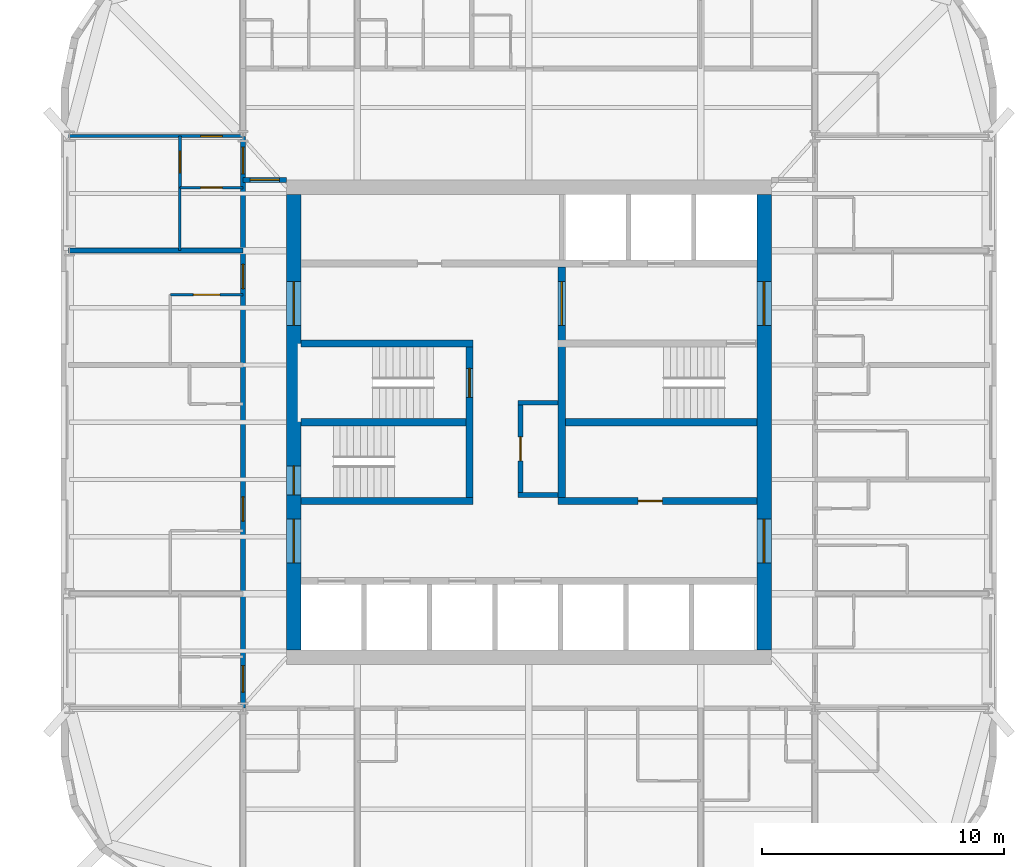
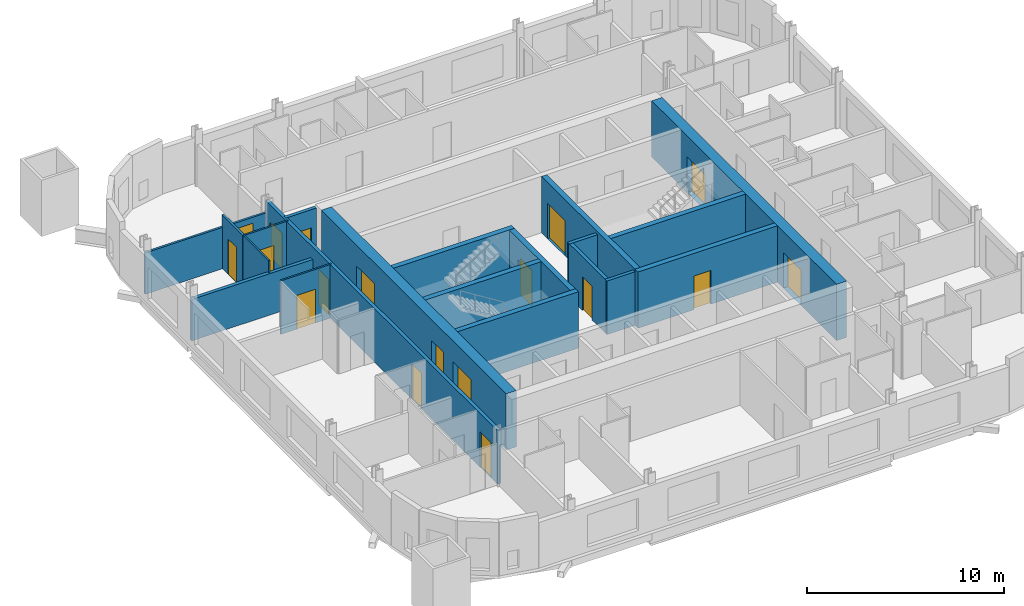
# One storey, part 4 of 9: 20 walls, 18 doors, 18 openings.
"""IFC4 building model written with IfcOpenShell, lengths in metres."""

from ifc_helpers import new_model, si_unit, direction, frame, frame_2d, origin, place, context, subcontext, project, spatial, rectangle, extrude, material, layer, layer_set, type_object, element, fill, save


model = new_model("IFC4")

# Units and contexts
model_context = context("Model", 3, precision=1e-05, world=origin(), true_north=direction((0.0, 1.0)))
body_context = subcontext(model_context, "Body", "Model", "MODEL_VIEW")
ifc_project = project(units=[si_unit("LENGTHUNIT", "METRE"), si_unit("AREAUNIT", "SQUARE_METRE"), si_unit("VOLUMEUNIT", "CUBIC_METRE"), si_unit("PLANEANGLEUNIT", "RADIAN"), si_unit("MASSUNIT", "GRAM", prefix="KILO")], contexts=[model_context])

# Site, building, storey
site_placement = place(None, origin())
site = spatial("IfcSite", under=ifc_project, at=site_placement, CompositionType="ELEMENT")
building_placement = place(site_placement, origin())
building = spatial("IfcBuilding", under=site, at=building_placement, Name="Turquesa Mirador Hotel Tower", CompositionType="ELEMENT")
storey_placement = place(building_placement, frame((0.0, 0.0, 210.800048828125)))
storey = spatial("IfcBuildingStorey", under=building, at=storey_placement, Name="L57", CompositionType="ELEMENT", Elevation=210.800048828125)

# Wall, opening, door
ifc_material_1 = material(Name="Gypsum board on steel studs", Category="steel")
ifc_layer_1 = layer(ifc_material_1, 0.10009765625)
ifc_layer_set_1 = layer_set([ifc_layer_1], Name="BATHROOM WALL 100")
wall_type_1 = type_object("IfcWallType", Name="BATHROOM WALL 100", PredefinedType="PARTITIONING", material=ifc_layer_set_1)
wall_1_placement = place(storey_placement, frame((40.199951171875, 50.260009765625, 0.0), z_axis=(0.0, 0.0, 1.0), x_axis=(1.0, 0.0, 0.0)))
wall_1 = element("IfcWall", 1, at=wall_1_placement, inside=storey, type_object=wall_type_1, Name="Partition L57 040", PredefinedType="PARTITIONING", context=body_context, shape_type="SweptSolid", body=[
    extrude(rectangle(XDim=3.0, YDim=0.10009765625, at=frame_2d((1.5, 0.0))), origin(), (0.0, 0.0, 1.0), 3.329833984375),
])
opening_1_placement = place(wall_1_placement, frame((0.949951171875, 0.0, 0.0)))
opening_1 = element("IfcOpeningElement", 2, at=opening_1_placement, cuts=wall_1, Name="Opening D16", PredefinedType="OPENING", context=body_context, shape_type="SweptSolid", body=[
    extrude(rectangle(XDim=1.10009765625, YDim=2.10009765625, at=frame_2d((0.550048828125, 1.050048828125))), frame((0.0, 0.06005859375, 0.0), z_axis=(0.0, -1.0, 0.0), x_axis=(1.0, 0.0, 0.0)), (0.0, 0.0, 1.0), 0.1201171875),
])
ifc_material_2 = material(Name="Timber veneered sliding door", Category="wood")
door_type_1 = type_object("IfcDoorType", Name="DOOR 1100X2100 ACCESSIBLE EN-SUITE", OperationType="SLIDING_TO_LEFT", PredefinedType="DOOR", material=ifc_material_2)
door_1_placement = place(opening_1_placement, origin())
door_1 = element("IfcDoor", 3, at=door_1_placement, inside=storey, type_object=door_type_1, Name="Door 5711B", OperationType="SLIDING_TO_LEFT", OverallHeight=2.10009765625, OverallWidth=1.10009765625, PredefinedType="DOOR", context=body_context, shape_type="SweptSolid", body=[
    extrude(rectangle(XDim=1.10009765625, YDim=2.10009765625, at=frame_2d((0.550048828125, 1.050048828125))), frame((0.0, 0.02490234375, 0.0), z_axis=(0.0, -1.0, 0.0), x_axis=(1.0, 0.0, 0.0)), (0.0, 0.0, 1.0), 0.050048828125),
])
fill(opening_1, door_1)

wall_2_placement = place(storey_placement, frame((40.60009765625, 54.679931640625, 0.0), z_axis=(0.0, 0.0, 1.0), x_axis=(1.0, 0.0, 0.0)))
wall_2 = element("IfcWall", 4, at=wall_2_placement, inside=storey, type_object=wall_type_1, Name="Partition L57 044", PredefinedType="PARTITIONING", context=body_context, shape_type="SweptSolid", body=[
    extrude(rectangle(XDim=2.599853515625, YDim=0.10009765625, at=frame_2d((1.2998046875, 0.0))), origin(), (0.0, 0.0, 1.0), 3.329833984375),
])
opening_2_placement = place(wall_2_placement, frame((0.85009765625, 0.0, 0.0)))
opening_2 = element("IfcOpeningElement", 5, at=opening_2_placement, cuts=wall_2, Name="Opening D02", PredefinedType="OPENING", context=body_context, shape_type="SweptSolid", body=[
    extrude(rectangle(XDim=0.89990234375, YDim=2.10009765625, at=frame_2d((0.449951171875, 1.050048828125))), frame((0.0, 0.06005859375, 0.0), z_axis=(0.0, -1.0, 0.0), x_axis=(1.0, 0.0, 0.0)), (0.0, 0.0, 1.0), 0.1201171875),
])
ifc_material_3 = material(Name="Timber veneered door", Category="wood")
door_type_2 = type_object("IfcDoorType", Name="DOOR 900X2100 EN-SUITE", OperationType="SINGLE_SWING_RIGHT", PredefinedType="DOOR", material=ifc_material_3)
door_2_placement = place(opening_2_placement, origin())
door_2 = element("IfcDoor", 6, at=door_2_placement, inside=storey, type_object=door_type_2, Name="Door 5713B", OperationType="SINGLE_SWING_RIGHT", OverallHeight=2.10009765625, OverallWidth=0.89990234375, PredefinedType="DOOR", context=body_context, shape_type="SweptSolid", body=[
    extrude(rectangle(XDim=0.89990234375, YDim=2.10009765625, at=frame_2d((0.449951171875, 1.050048828125))), frame((0.0, 0.02490234375, 0.0), z_axis=(0.0, -1.0, 0.0), x_axis=(1.0, 0.0, 0.0)), (0.0, 0.0, 1.0), 0.050048828125),
])
fill(opening_2, door_2)

# Walls
wall_3_placement = place(storey_placement, frame((40.60009765625, 52.080078125, 0.0), z_axis=(0.0, 0.0, 1.0), x_axis=(0.0, 1.0, 0.0)))
element("IfcWall", 7, at=wall_3_placement, inside=storey, type_object=wall_type_1, Name="Partition L57 052", PredefinedType="PARTITIONING", context=body_context, shape_type="SweptSolid", body=[
    extrude(rectangle(XDim=2.599853515625, YDim=0.10009765625, at=frame_2d((1.2998046875, 0.0))), origin(), (0.0, 0.0, 1.0), 3.329833984375),
])
ifc_material_4 = material(Name="Concrete C50/60", Category="concrete")
ifc_layer_2 = layer(ifc_material_4, 0.300048828125)
ifc_layer_set_2 = layer_set([ifc_layer_2], Name="CORE INNER WALL 300")
wall_type_2 = type_object("IfcWallType", Name="CORE INNER WALL 300", PredefinedType="SHEAR", material=ifc_layer_set_2)
for number, where, z_axis, x_axis, name in (
    (8, (45.60009765625, 48.25, 0.0), (0.0, 0.0, 1.0), (1.0, 0.0, 0.0), "Core wall MN-W"),
    (9, (45.60009765625, 41.75, 0.0), (0.0, 0.0, 1.0), (1.0, 0.0, 0.0), "Core wall MS-W"),
):
    element("IfcWall", number, at=place(storey_placement, frame(where, z_axis=z_axis, x_axis=x_axis)), inside=storey, type_object=wall_type_2, Name=name, PredefinedType="SHEAR", context=body_context, shape_type="SweptSolid", body=[
        extrude(rectangle(XDim=7.099853515625, YDim=0.300048828125, at=frame_2d((3.5498046875, 0.0))), origin(), (0.0, 0.0, 1.0), 3.5),
    ])

# Wall, opening, door
wall_4_placement = place(storey_placement, frame((56.199951171875, 41.75, 0.0), z_axis=(0.0, 0.0, 1.0), x_axis=(1.0, 0.0, 0.0)))
wall_4 = element("IfcWall", 10, at=wall_4_placement, inside=storey, type_object=wall_type_2, Name="Core wall MS-E", PredefinedType="SHEAR", context=body_context, shape_type="SweptSolid", body=[
    extrude(rectangle(XDim=8.199951171875, YDim=0.300048828125, at=frame_2d((4.10009765625, 0.0))), origin(), (0.0, 0.0, 1.0), 3.5),
])
opening_3_placement = place(wall_4_placement, frame((3.300048828125, 0.0, 0.0)))
opening_3 = element("IfcOpeningElement", 11, at=opening_3_placement, cuts=wall_4, Name="Opening D05", PredefinedType="OPENING", context=body_context, shape_type="SweptSolid", body=[
    extrude(rectangle(XDim=1.0, YDim=2.10009765625, at=frame_2d((0.5, 1.050048828125))), frame((0.0, 0.159912109375, 0.0), z_axis=(0.0, -1.0, 0.0), x_axis=(1.0, 0.0, 0.0)), (0.0, 0.0, 1.0), 0.320068359375),
])
ifc_material_5 = material(Name="Steel fire door", Category="steel")
door_type_3 = type_object("IfcDoorType", Name="DOOR 1000X2100 SERVICE", OperationType="SINGLE_SWING_LEFT", PredefinedType="DOOR", material=ifc_material_5)
door_3_placement = place(opening_3_placement, origin())
door_3 = element("IfcDoor", 12, at=door_3_placement, inside=storey, type_object=door_type_3, Name="Housekeeping room door", OperationType="SINGLE_SWING_LEFT", OverallHeight=2.10009765625, OverallWidth=1.0, PredefinedType="DOOR", context=body_context, shape_type="SweptSolid", body=[
    extrude(rectangle(XDim=1.0, YDim=2.10009765625, at=frame_2d((0.5, 1.050048828125))), frame((0.0, 0.02490234375, 0.0), z_axis=(0.0, -1.0, 0.0), x_axis=(1.0, 0.0, 0.0)), (0.0, 0.0, 1.0), 0.050048828125),
])
fill(opening_3, door_3)

wall_5_placement = place(storey_placement, frame((52.550048828125, 41.89990234375, 0.0), z_axis=(0.0, 0.0, 1.0), x_axis=(0.0, 1.0, 0.0)))
wall_5 = element("IfcWall", 13, at=wall_5_placement, inside=storey, type_object=wall_type_2, Name="Core wall PW", PredefinedType="SHEAR", context=body_context, shape_type="SweptSolid", body=[
    extrude(rectangle(XDim=6.2001953125, YDim=0.300048828125, at=frame_2d((3.10009765625, 0.0))), origin(), (0.0, 0.0, 1.0), 3.5),
])
opening_4_placement = place(wall_5_placement, frame((4.125, 0.0, 0.0)))
opening_4 = element("IfcOpeningElement", 14, at=opening_4_placement, cuts=wall_5, Name="Opening D03", PredefinedType="OPENING", context=body_context, shape_type="SweptSolid", body=[
    extrude(rectangle(XDim=1.199951171875, YDim=2.199951171875, at=frame_2d((0.60009765625, 1.10009765625))), frame((0.0, 0.159912109375, 0.0), z_axis=(0.0, -1.0, 0.0), x_axis=(1.0, 0.0, 0.0)), (0.0, 0.0, 1.0), 0.320068359375),
])
ifc_material_6 = material(Name="Steel fire door", Category="steel")
door_type_4 = type_object("IfcDoorType", Name="DOOR 1200X2200 STAIR", OperationType="SINGLE_SWING_LEFT", PredefinedType="DOOR", material=ifc_material_6)
door_4_placement = place(opening_4_placement, origin())
door_4 = element("IfcDoor", 15, at=door_4_placement, inside=storey, type_object=door_type_4, Name="Stair ST1 door", OperationType="SINGLE_SWING_LEFT", OverallHeight=2.199951171875, OverallWidth=1.199951171875, PredefinedType="DOOR", context=body_context, shape_type="SweptSolid", body=[
    extrude(rectangle(XDim=1.199951171875, YDim=2.199951171875, at=frame_2d((0.60009765625, 1.10009765625))), frame((0.0, 0.02490234375, 0.0), z_axis=(0.0, -1.0, 0.0), x_axis=(1.0, 0.0, 0.0)), (0.0, 0.0, 1.0), 0.050048828125),
])
fill(opening_4, door_4)

wall_6_placement = place(storey_placement, frame((56.35009765625, 41.89990234375, 0.0), z_axis=(0.0, 0.0, 1.0), x_axis=(0.0, 1.0, 0.0)))
wall_6 = element("IfcWall", 16, at=wall_6_placement, inside=storey, type_object=wall_type_2, Name="Core wall PE", PredefinedType="SHEAR", context=body_context, shape_type="SweptSolid", body=[
    extrude(rectangle(XDim=9.5, YDim=0.300048828125, at=frame_2d((4.75, 0.0))), origin(), (0.0, 0.0, 1.0), 3.5),
])
opening_5_placement = place(wall_6_placement, frame((7.10009765625, 0.0, 0.0)))
opening_5 = element("IfcOpeningElement", 17, at=opening_5_placement, cuts=wall_6, Name="Opening D04", PredefinedType="OPENING", context=body_context, shape_type="SweptSolid", body=[
    extrude(rectangle(XDim=1.800048828125, YDim=2.199951171875, at=frame_2d((0.89990234375, 1.10009765625))), frame((0.0, 0.159912109375, 0.0), z_axis=(0.0, -1.0, 0.0), x_axis=(1.0, 0.0, 0.0)), (0.0, 0.0, 1.0), 0.320068359375),
])
ifc_material_7 = material(Name="Steel fire door pair", Category="steel")
door_type_5 = type_object("IfcDoorType", Name="DOOR 1800X2200 PAIR", OperationType="DOUBLE_DOOR_SINGLE_SWING", PredefinedType="DOOR", material=ifc_material_7)
door_5_placement = place(opening_5_placement, origin())
door_5 = element("IfcDoor", 18, at=door_5_placement, inside=storey, type_object=door_type_5, Name="Firefighting lobby inner door", OperationType="DOUBLE_DOOR_SINGLE_SWING", OverallHeight=2.199951171875, OverallWidth=1.800048828125, PredefinedType="DOOR", context=body_context, shape_type="SweptSolid", body=[
    extrude(rectangle(XDim=1.800048828125, YDim=2.199951171875, at=frame_2d((0.89990234375, 1.10009765625))), frame((0.0, 0.02490234375, 0.0), z_axis=(0.0, -1.0, 0.0), x_axis=(1.0, 0.0, 0.0)), (0.0, 0.0, 1.0), 0.050048828125),
])
fill(opening_5, door_5)

# Walls
wall_7_placement = place(storey_placement, frame((45.60009765625, 45.0, 0.0), z_axis=(0.0, 0.0, 1.0), x_axis=(1.0, 0.0, 0.0)))
element("IfcWall", 19, at=wall_7_placement, inside=storey, type_object=wall_type_2, Name="Core wall M0-W", PredefinedType="SHEAR", context=body_context, shape_type="SweptSolid", body=[
    extrude(rectangle(XDim=6.7998046875, YDim=0.300048828125, at=frame_2d((3.39990234375, 0.0))), origin(), (0.0, 0.0, 1.0), 3.5),
])
wall_8_placement = place(storey_placement, frame((56.5, 45.0, 0.0), z_axis=(0.0, 0.0, 1.0), x_axis=(1.0, 0.0, 0.0)))
element("IfcWall", 20, at=wall_8_placement, inside=storey, type_object=wall_type_2, Name="Core wall M0-E", PredefinedType="SHEAR", context=body_context, shape_type="SweptSolid", body=[
    extrude(rectangle(XDim=7.89990234375, YDim=0.300048828125, at=frame_2d((3.949951171875, 0.0))), origin(), (0.0, 0.0, 1.0), 3.5),
])

# Wall, openings, doors
ifc_material_8 = material(Name="Concrete C50/60", Category="concrete")
ifc_layer_3 = layer(ifc_material_8, 0.60009765625)
ifc_layer_set_3 = layer_set([ifc_layer_3], Name="CORE WALL 600")
wall_type_3 = type_object("IfcWallType", Name="CORE WALL 600", PredefinedType="SHEAR", material=ifc_layer_set_3)
wall_9_placement = place(storey_placement, frame((64.699951171875, 35.60009765625, 0.0), z_axis=(0.0, 0.0, 1.0), x_axis=(0.0, 1.0, 0.0)))
wall_9 = element("IfcWall", 21, at=wall_9_placement, inside=storey, type_object=wall_type_3, Name="Core wall E", PredefinedType="SHEAR", context=body_context, shape_type="SweptSolid", body=[
    extrude(rectangle(XDim=18.7998046875, YDim=0.60009765625, at=frame_2d((9.39990234375, 0.0))), origin(), (0.0, 0.0, 1.0), 3.5),
])
opening_6_placement = place(wall_9_placement, frame((13.39990234375, 0.0, 0.0)))
opening_6 = element("IfcOpeningElement", 22, at=opening_6_placement, cuts=wall_9, Name="Opening D04", PredefinedType="OPENING", context=body_context, shape_type="SweptSolid", body=[
    extrude(rectangle(XDim=1.800048828125, YDim=2.199951171875, at=frame_2d((0.89990234375, 1.10009765625))), frame((0.0, 0.31005859375, 0.0), z_axis=(0.0, -1.0, 0.0), x_axis=(1.0, 0.0, 0.0)), (0.0, 0.0, 1.0), 0.6201171875),
])
opening_7_placement = place(wall_9_placement, frame((3.60009765625, 0.0, 0.0)))
opening_7 = element("IfcOpeningElement", 23, at=opening_7_placement, cuts=wall_9, Name="Opening D04", PredefinedType="OPENING", context=body_context, shape_type="SweptSolid", body=[
    extrude(rectangle(XDim=1.800048828125, YDim=2.199951171875, at=frame_2d((0.89990234375, 1.10009765625))), frame((0.0, 0.31005859375, 0.0), z_axis=(0.0, -1.0, 0.0), x_axis=(1.0, 0.0, 0.0)), (0.0, 0.0, 1.0), 0.6201171875),
])
door_6_placement = place(opening_6_placement, origin())
door_6 = element("IfcDoor", 24, at=door_6_placement, inside=storey, type_object=door_type_5, Name="Firefighting lobby door", OperationType="DOUBLE_DOOR_SINGLE_SWING", OverallHeight=2.199951171875, OverallWidth=1.800048828125, PredefinedType="DOOR", context=body_context, shape_type="SweptSolid", body=[
    extrude(rectangle(XDim=1.800048828125, YDim=2.199951171875, at=frame_2d((0.89990234375, 1.10009765625))), frame((0.0, 0.02490234375, 0.0), z_axis=(0.0, -1.0, 0.0), x_axis=(1.0, 0.0, 0.0)), (0.0, 0.0, 1.0), 0.050048828125),
])
fill(opening_6, door_6)
door_7_placement = place(opening_7_placement, origin())
door_7 = element("IfcDoor", 25, at=door_7_placement, inside=storey, type_object=door_type_5, Name="South lift lobby door", OperationType="DOUBLE_DOOR_SINGLE_SWING", OverallHeight=2.199951171875, OverallWidth=1.800048828125, PredefinedType="DOOR", context=body_context, shape_type="SweptSolid", body=[
    extrude(rectangle(XDim=1.800048828125, YDim=2.199951171875, at=frame_2d((0.89990234375, 1.10009765625))), frame((0.0, 0.02490234375, 0.0), z_axis=(0.0, -1.0, 0.0), x_axis=(1.0, 0.0, 0.0)), (0.0, 0.0, 1.0), 0.050048828125),
])
fill(opening_7, door_7)

wall_10_placement = place(storey_placement, frame((45.300048828125, 35.60009765625, 0.0), z_axis=(0.0, 0.0, 1.0), x_axis=(0.0, 1.0, 0.0)))
wall_10 = element("IfcWall", 26, at=wall_10_placement, inside=storey, type_object=wall_type_3, Name="Core wall W", PredefinedType="SHEAR", context=body_context, shape_type="SweptSolid", body=[
    extrude(rectangle(XDim=18.7998046875, YDim=0.60009765625, at=frame_2d((9.39990234375, 0.0))), origin(), (0.0, 0.0, 1.0), 3.5),
])
opening_8_placement = place(wall_10_placement, frame((13.39990234375, 0.0, 0.0)))
opening_8 = element("IfcOpeningElement", 27, at=opening_8_placement, cuts=wall_10, Name="Opening D04", PredefinedType="OPENING", context=body_context, shape_type="SweptSolid", body=[
    extrude(rectangle(XDim=1.800048828125, YDim=2.199951171875, at=frame_2d((0.89990234375, 1.10009765625))), frame((0.0, 0.31005859375, 0.0), z_axis=(0.0, -1.0, 0.0), x_axis=(1.0, 0.0, 0.0)), (0.0, 0.0, 1.0), 0.6201171875),
])
opening_9_placement = place(wall_10_placement, frame((3.60009765625, 0.0, 0.0)))
opening_9 = element("IfcOpeningElement", 28, at=opening_9_placement, cuts=wall_10, Name="Opening D04", PredefinedType="OPENING", context=body_context, shape_type="SweptSolid", body=[
    extrude(rectangle(XDim=1.800048828125, YDim=2.199951171875, at=frame_2d((0.89990234375, 1.10009765625))), frame((0.0, 0.31005859375, 0.0), z_axis=(0.0, -1.0, 0.0), x_axis=(1.0, 0.0, 0.0)), (0.0, 0.0, 1.0), 0.6201171875),
])
opening_10_placement = place(wall_10_placement, frame((6.39990234375, 0.0, 0.0)))
opening_10 = element("IfcOpeningElement", 29, at=opening_10_placement, cuts=wall_10, Name="Opening D03", PredefinedType="OPENING", context=body_context, shape_type="SweptSolid", body=[
    extrude(rectangle(XDim=1.199951171875, YDim=2.199951171875, at=frame_2d((0.60009765625, 1.10009765625))), frame((0.0, 0.31005859375, 0.0), z_axis=(0.0, -1.0, 0.0), x_axis=(1.0, 0.0, 0.0)), (0.0, 0.0, 1.0), 0.6201171875),
])
door_8_placement = place(opening_10_placement, origin())
door_8 = element("IfcDoor", 30, at=door_8_placement, inside=storey, type_object=door_type_4, Name="Stair ST2 door", OperationType="SINGLE_SWING_LEFT", OverallHeight=2.199951171875, OverallWidth=1.199951171875, PredefinedType="DOOR", context=body_context, shape_type="SweptSolid", body=[
    extrude(rectangle(XDim=1.199951171875, YDim=2.199951171875, at=frame_2d((0.60009765625, 1.10009765625))), frame((0.0, 0.02490234375, 0.0), z_axis=(0.0, -1.0, 0.0), x_axis=(1.0, 0.0, 0.0)), (0.0, 0.0, 1.0), 0.050048828125),
])
fill(opening_10, door_8)
door_9_placement = place(opening_8_placement, origin())
door_9 = element("IfcDoor", 31, at=door_9_placement, inside=storey, type_object=door_type_5, Name="North lift lobby door", OperationType="DOUBLE_DOOR_SINGLE_SWING", OverallHeight=2.199951171875, OverallWidth=1.800048828125, PredefinedType="DOOR", context=body_context, shape_type="SweptSolid", body=[
    extrude(rectangle(XDim=1.800048828125, YDim=2.199951171875, at=frame_2d((0.89990234375, 1.10009765625))), frame((0.0, 0.02490234375, 0.0), z_axis=(0.0, -1.0, 0.0), x_axis=(1.0, 0.0, 0.0)), (0.0, 0.0, 1.0), 0.050048828125),
])
fill(opening_8, door_9)
door_10_placement = place(opening_9_placement, origin())
door_10 = element("IfcDoor", 32, at=door_10_placement, inside=storey, type_object=door_type_5, Name="South lift lobby door", OperationType="DOUBLE_DOOR_SINGLE_SWING", OverallHeight=2.199951171875, OverallWidth=1.800048828125, PredefinedType="DOOR", context=body_context, shape_type="SweptSolid", body=[
    extrude(rectangle(XDim=1.800048828125, YDim=2.199951171875, at=frame_2d((0.89990234375, 1.10009765625))), frame((0.0, 0.02490234375, 0.0), z_axis=(0.0, -1.0, 0.0), x_axis=(1.0, 0.0, 0.0)), (0.0, 0.0, 1.0), 0.050048828125),
])
fill(opening_9, door_10)

# Wall, opening, door
ifc_material_9 = material(Name="Fire-rated gypsum board on steel studs", Category="steel")
ifc_layer_4 = layer(ifc_material_9, 0.199951171875)
ifc_layer_set_4 = layer_set([ifc_layer_4], Name="CORRIDOR WALL 200")
wall_type_4 = type_object("IfcWallType", Name="CORRIDOR WALL 200", PredefinedType="PARTITIONING", material=ifc_layer_set_4)
wall_11_placement = place(storey_placement, frame((43.199951171875, 55.0, 0.0), z_axis=(0.0, 0.0, 1.0), x_axis=(1.0, 0.0, 0.0)))
wall_11 = element("IfcWall", 33, at=wall_11_placement, inside=storey, type_object=wall_type_4, Name="Partition L57 022", PredefinedType="PARTITIONING", context=body_context, shape_type="SweptSolid", body=[
    extrude(rectangle(XDim=1.800048828125, YDim=0.199951171875, at=frame_2d((0.89990234375, 0.0))), origin(), (0.0, 0.0, 1.0), 3.329833984375),
])
opening_11_placement = place(wall_11_placement, frame((0.300048828125, 0.0, 0.0)))
opening_11 = element("IfcOpeningElement", 34, at=opening_11_placement, cuts=wall_11, Name="Opening D19", PredefinedType="OPENING", context=body_context, shape_type="SweptSolid", body=[
    extrude(rectangle(XDim=1.199951171875, YDim=2.199951171875, at=frame_2d((0.60009765625, 1.10009765625))), frame((0.0, 0.10986328125, 0.0), z_axis=(0.0, -1.0, 0.0), x_axis=(1.0, 0.0, 0.0)), (0.0, 0.0, 1.0), 0.219970703125),
])
ifc_material_10 = material(Name="Steel glazed fire door", Category="steel")
door_type_6 = type_object("IfcDoorType", Name="DOOR 1200X2200 FIRE DOOR GLAZED", OperationType="SINGLE_SWING_LEFT", PredefinedType="DOOR", material=ifc_material_10)
door_11_placement = place(opening_11_placement, origin())
door_11 = element("IfcDoor", 35, at=door_11_placement, inside=storey, type_object=door_type_6, Name="Door L57-C03", OperationType="SINGLE_SWING_LEFT", OverallHeight=2.199951171875, OverallWidth=1.199951171875, PredefinedType="DOOR", context=body_context, shape_type="SweptSolid", body=[
    extrude(rectangle(XDim=1.199951171875, YDim=2.199951171875, at=frame_2d((0.60009765625, 1.10009765625))), frame((0.0, 0.02490234375, 0.0), z_axis=(0.0, -1.0, 0.0), x_axis=(1.0, 0.0, 0.0)), (0.0, 0.0, 1.0), 0.050048828125),
])
fill(opening_11, door_11)

# Wall, openings, doors
wall_12_placement = place(storey_placement, frame((43.199951171875, 33.199951171875, 0.0), z_axis=(0.0, 0.0, 1.0), x_axis=(0.0, 1.0, 0.0)))
wall_12 = element("IfcWall", 36, at=wall_12_placement, inside=storey, type_object=wall_type_4, Name="Partition L57 047", PredefinedType="PARTITIONING", context=body_context, shape_type="SweptSolid", body=[
    extrude(rectangle(XDim=23.580078125, YDim=0.199951171875, at=frame_2d((11.7900390625, 0.0))), origin(), (0.0, 0.0, 1.0), 3.329833984375),
])
opening_12_placement = place(wall_12_placement, frame((7.719970703125, 0.0, 0.0)))
opening_12 = element("IfcOpeningElement", 37, at=opening_12_placement, cuts=wall_12, Name="Opening D01", PredefinedType="OPENING", context=body_context, shape_type="SweptSolid", body=[
    extrude(rectangle(XDim=1.0, YDim=2.199951171875, at=frame_2d((0.5, 1.10009765625))), frame((0.0, 0.10986328125, 0.0), z_axis=(0.0, -1.0, 0.0), x_axis=(1.0, 0.0, 0.0)), (0.0, 0.0, 1.0), 0.219970703125),
])
opening_13_placement = place(wall_12_placement, frame((17.31005859375, 0.0, 0.0)))
opening_13 = element("IfcOpeningElement", 38, at=opening_13_placement, cuts=wall_12, Name="Opening D01", PredefinedType="OPENING", context=body_context, shape_type="SweptSolid", body=[
    extrude(rectangle(XDim=1.0, YDim=2.199951171875, at=frame_2d((0.5, 1.10009765625))), frame((0.0, 0.10986328125, 0.0), z_axis=(0.0, -1.0, 0.0), x_axis=(1.0, 0.0, 0.0)), (0.0, 0.0, 1.0), 0.219970703125),
])
opening_14_placement = place(wall_12_placement, frame((22.050048828125, 0.0, 0.0)))
opening_14 = element("IfcOpeningElement", 39, at=opening_14_placement, cuts=wall_12, Name="Opening D15", PredefinedType="OPENING", context=body_context, shape_type="SweptSolid", body=[
    extrude(rectangle(XDim=1.10009765625, YDim=2.199951171875, at=frame_2d((0.550048828125, 1.10009765625))), frame((0.0, 0.10986328125, 0.0), z_axis=(0.0, -1.0, 0.0), x_axis=(1.0, 0.0, 0.0)), (0.0, 0.0, 1.0), 0.219970703125),
])
opening_15_placement = place(wall_12_placement, frame((0.659912109375, 0.0, 0.0)))
opening_15 = element("IfcOpeningElement", 40, at=opening_15_placement, cuts=wall_12, Name="Opening D15", PredefinedType="OPENING", context=body_context, shape_type="SweptSolid", body=[
    extrude(rectangle(XDim=1.10009765625, YDim=2.199951171875, at=frame_2d((0.550048828125, 1.10009765625))), frame((0.0, 0.10986328125, 0.0), z_axis=(0.0, -1.0, 0.0), x_axis=(1.0, 0.0, 0.0)), (0.0, 0.0, 1.0), 0.219970703125),
])
ifc_material_11 = material(Name="Timber veneered fire door", Category="wood")
door_type_7 = type_object("IfcDoorType", Name="DOOR 1000X2200 GUEST ENTRY", OperationType="SINGLE_SWING_LEFT", PredefinedType="DOOR", material=ifc_material_11)
door_12_placement = place(opening_12_placement, origin())
door_12 = element("IfcDoor", 41, at=door_12_placement, inside=storey, type_object=door_type_7, Name="Door 5710", OperationType="SINGLE_SWING_LEFT", OverallHeight=2.199951171875, OverallWidth=1.0, PredefinedType="DOOR", context=body_context, shape_type="SweptSolid", body=[
    extrude(rectangle(XDim=1.0, YDim=2.199951171875, at=frame_2d((0.5, 1.10009765625))), frame((0.0, 0.02490234375, 0.0), z_axis=(0.0, -1.0, 0.0), x_axis=(1.0, 0.0, 0.0)), (0.0, 0.0, 1.0), 0.050048828125),
])
fill(opening_12, door_12)
door_13_placement = place(opening_13_placement, origin())
door_13 = element("IfcDoor", 42, at=door_13_placement, inside=storey, type_object=door_type_7, Name="Door 5711", OperationType="SINGLE_SWING_LEFT", OverallHeight=2.199951171875, OverallWidth=1.0, PredefinedType="DOOR", context=body_context, shape_type="SweptSolid", body=[
    extrude(rectangle(XDim=1.0, YDim=2.199951171875, at=frame_2d((0.5, 1.10009765625))), frame((0.0, 0.02490234375, 0.0), z_axis=(0.0, -1.0, 0.0), x_axis=(1.0, 0.0, 0.0)), (0.0, 0.0, 1.0), 0.050048828125),
])
fill(opening_13, door_13)
ifc_material_12 = material(Name="Timber veneered fire door", Category="wood")
door_type_8 = type_object("IfcDoorType", Name="DOOR 1100X2200 SUITE ENTRY", OperationType="SINGLE_SWING_LEFT", PredefinedType="DOOR", material=ifc_material_12)
door_14_placement = place(opening_14_placement, origin())
door_14 = element("IfcDoor", 43, at=door_14_placement, inside=storey, type_object=door_type_8, Name="Door 5713H", OperationType="SINGLE_SWING_LEFT", OverallHeight=2.199951171875, OverallWidth=1.10009765625, PredefinedType="DOOR", context=body_context, shape_type="SweptSolid", body=[
    extrude(rectangle(XDim=1.10009765625, YDim=2.199951171875, at=frame_2d((0.550048828125, 1.10009765625))), frame((0.0, 0.02490234375, 0.0), z_axis=(0.0, -1.0, 0.0), x_axis=(1.0, 0.0, 0.0)), (0.0, 0.0, 1.0), 0.050048828125),
])
fill(opening_14, door_14)
door_15_placement = place(opening_15_placement, origin())
door_15 = element("IfcDoor", 44, at=door_15_placement, inside=storey, type_object=door_type_8, Name="Door 5714H", OperationType="SINGLE_SWING_LEFT", OverallHeight=2.199951171875, OverallWidth=1.10009765625, PredefinedType="DOOR", context=body_context, shape_type="SweptSolid", body=[
    extrude(rectangle(XDim=1.10009765625, YDim=2.199951171875, at=frame_2d((0.550048828125, 1.10009765625))), frame((0.0, 0.02490234375, 0.0), z_axis=(0.0, -1.0, 0.0), x_axis=(1.0, 0.0, 0.0)), (0.0, 0.0, 1.0), 0.050048828125),
])
fill(opening_15, door_15)

# Wall, opening, door
ifc_material_13 = material(Name="Fire-rated gypsum board on steel studs", Category="steel")
ifc_layer_5 = layer(ifc_material_13, 0.199951171875)
ifc_layer_set_5 = layer_set([ifc_layer_5], Name="FIRE PARTITION 200")
wall_type_5 = type_object("IfcWallType", Name="FIRE PARTITION 200", PredefinedType="PARTITIONING", material=ifc_layer_set_5)
wall_13_placement = place(storey_placement, frame((54.64990234375, 42.0, 0.0), z_axis=(0.0, 0.0, 1.0), x_axis=(0.0, 1.0, 0.0)))
wall_13 = element("IfcWall", 45, at=wall_13_placement, inside=storey, type_object=wall_type_5, Name="Partition L57 RR W", PredefinedType="PARTITIONING", context=body_context, shape_type="SweptSolid", body=[
    extrude(rectangle(XDim=3.800048828125, YDim=0.199951171875, at=frame_2d((1.89990234375, 0.0))), origin(), (0.0, 0.0, 1.0), 3.329833984375),
])
opening_16_placement = place(wall_13_placement, frame((1.39990234375, 0.0, 0.0)))
opening_16 = element("IfcOpeningElement", 46, at=opening_16_placement, cuts=wall_13, Name="Opening D05", PredefinedType="OPENING", context=body_context, shape_type="SweptSolid", body=[
    extrude(rectangle(XDim=1.0, YDim=2.10009765625, at=frame_2d((0.5, 1.050048828125))), frame((0.0, 0.10986328125, 0.0), z_axis=(0.0, -1.0, 0.0), x_axis=(1.0, 0.0, 0.0)), (0.0, 0.0, 1.0), 0.219970703125),
])
door_16_placement = place(opening_16_placement, origin())
door_16 = element("IfcDoor", 47, at=door_16_placement, inside=storey, type_object=door_type_3, Name="Staff rest room door", OperationType="SINGLE_SWING_LEFT", OverallHeight=2.10009765625, OverallWidth=1.0, PredefinedType="DOOR", context=body_context, shape_type="SweptSolid", body=[
    extrude(rectangle(XDim=1.0, YDim=2.10009765625, at=frame_2d((0.5, 1.050048828125))), frame((0.0, 0.02490234375, 0.0), z_axis=(0.0, -1.0, 0.0), x_axis=(1.0, 0.0, 0.0)), (0.0, 0.0, 1.0), 0.050048828125),
])
fill(opening_16, door_16)

# Walls
for number, where, z_axis, x_axis, name in (
    (48, (54.550048828125, 42.0, 0.0), (0.0, 0.0, 1.0), (1.0, 0.0, 0.0), "Partition L57 RR S"),
    (49, (54.550048828125, 45.800048828125, 0.0), (0.0, 0.0, 1.0), (1.0, 0.0, 0.0), "Partition L57 RR N"),
):
    element("IfcWall", number, at=place(storey_placement, frame(where, z_axis=z_axis, x_axis=x_axis)), inside=storey, type_object=wall_type_5, Name=name, PredefinedType="PARTITIONING", context=body_context, shape_type="SweptSolid", body=[
        extrude(rectangle(XDim=1.64990234375, YDim=0.199951171875, at=frame_2d((0.824951171875, 0.0))), origin(), (0.0, 0.0, 1.0), 3.329833984375),
    ])
ifc_material_14 = material(Name="Fire-rated gypsum board on steel studs", Category="steel")
ifc_layer_6 = layer(ifc_material_14, 0.199951171875)
ifc_layer_set_6 = layer_set([ifc_layer_6], Name="PARTY WALL 200")
wall_type_6 = type_object("IfcWallType", Name="PARTY WALL 200", PredefinedType="PARTITIONING", material=ifc_layer_set_6)
wall_14_placement = place(storey_placement, frame((36.0, 52.080078125, 0.0), z_axis=(0.0, 0.0, 1.0), x_axis=(1.0, 0.0, 0.0)))
element("IfcWall", 50, at=wall_14_placement, inside=storey, type_object=wall_type_6, Name="Partition L57 041", PredefinedType="PARTITIONING", context=body_context, shape_type="SweptSolid", body=[
    extrude(rectangle(XDim=7.199951171875, YDim=0.199951171875, at=frame_2d((3.60009765625, 0.0))), origin(), (0.0, 0.0, 1.0), 2.572998046875),
])

# Wall, opening, door
ifc_material_15 = material(Name="Acoustic gypsum board on steel studs", Category="steel")
ifc_layer_7 = layer(ifc_material_15, 0.125)
ifc_layer_set_7 = layer_set([ifc_layer_7], Name="SUITE PARTITION 125")
wall_type_7 = type_object("IfcWallType", Name="SUITE PARTITION 125", PredefinedType="PARTITIONING", material=ifc_layer_set_7)
wall_15_placement = place(storey_placement, frame((36.0, 56.800048828125, 0.0), z_axis=(0.0, 0.0, 1.0), x_axis=(1.0, 0.0, 0.0)))
wall_15 = element("IfcWall", 51, at=wall_15_placement, inside=storey, type_object=wall_type_7, Name="Partition L57 025", PredefinedType="PARTITIONING", context=body_context, shape_type="SweptSolid", body=[
    extrude(rectangle(XDim=7.199951171875, YDim=0.125, at=frame_2d((3.60009765625, 0.0))), origin(), (0.0, 0.0, 1.0), 2.572998046875),
])
opening_17_placement = place(wall_15_placement, frame((5.449951171875, 0.0, 0.0)))
opening_17 = element("IfcOpeningElement", 52, at=opening_17_placement, cuts=wall_15, Name="Opening D17", PredefinedType="OPENING", context=body_context, shape_type="SweptSolid", body=[
    extrude(rectangle(XDim=0.89990234375, YDim=2.199951171875, at=frame_2d((0.449951171875, 1.10009765625))), frame((0.0, 0.072509765625, 0.0), z_axis=(0.0, -1.0, 0.0), x_axis=(1.0, 0.0, 0.0)), (0.0, 0.0, 1.0), 0.14501953125),
])
ifc_material_16 = material(Name="Timber veneered door", Category="wood")
door_type_9 = type_object("IfcDoorType", Name="DOOR 900X2200 SUITE INTERNAL", OperationType="SINGLE_SWING_LEFT", PredefinedType="DOOR", material=ifc_material_16)
door_17_placement = place(opening_17_placement, origin())
door_17 = element("IfcDoor", 53, at=door_17_placement, inside=storey, type_object=door_type_9, Name="Door 5713", OperationType="SINGLE_SWING_LEFT", OverallHeight=2.199951171875, OverallWidth=0.89990234375, PredefinedType="DOOR", context=body_context, shape_type="SweptSolid", body=[
    extrude(rectangle(XDim=0.89990234375, YDim=2.199951171875, at=frame_2d((0.449951171875, 1.10009765625))), frame((0.0, 0.02490234375, 0.0), z_axis=(0.0, -1.0, 0.0), x_axis=(1.0, 0.0, 0.0)), (0.0, 0.0, 1.0), 0.050048828125),
])
fill(opening_17, door_17)

wall_16_placement = place(storey_placement, frame((40.60009765625, 54.679931640625, 0.0), z_axis=(0.0, 0.0, 1.0), x_axis=(0.0, 1.0, 0.0)))
wall_16 = element("IfcWall", 54, at=wall_16_placement, inside=storey, type_object=wall_type_7, Name="Partition L57 054", PredefinedType="PARTITIONING", context=body_context, shape_type="SweptSolid", body=[
    extrude(rectangle(XDim=2.1201171875, YDim=0.125, at=frame_2d((1.06005859375, 0.0))), origin(), (0.0, 0.0, 1.0), 3.329833984375),
])
opening_18_placement = place(wall_16_placement, frame((0.610107421875, 0.0, 0.0)))
opening_18 = element("IfcOpeningElement", 55, at=opening_18_placement, cuts=wall_16, Name="Opening D17", PredefinedType="OPENING", context=body_context, shape_type="SweptSolid", body=[
    extrude(rectangle(XDim=0.89990234375, YDim=2.199951171875, at=frame_2d((0.449951171875, 1.10009765625))), frame((0.0, 0.072509765625, 0.0), z_axis=(0.0, -1.0, 0.0), x_axis=(1.0, 0.0, 0.0)), (0.0, 0.0, 1.0), 0.14501953125),
])
door_18_placement = place(opening_18_placement, origin())
door_18 = element("IfcDoor", 56, at=door_18_placement, inside=storey, type_object=door_type_9, Name="Door 5713R", OperationType="SINGLE_SWING_LEFT", OverallHeight=2.199951171875, OverallWidth=0.89990234375, PredefinedType="DOOR", context=body_context, shape_type="SweptSolid", body=[
    extrude(rectangle(XDim=0.89990234375, YDim=2.199951171875, at=frame_2d((0.449951171875, 1.10009765625))), frame((0.0, 0.02490234375, 0.0), z_axis=(0.0, -1.0, 0.0), x_axis=(1.0, 0.0, 0.0)), (0.0, 0.0, 1.0), 0.050048828125),
])
fill(opening_18, door_18)

save(model, "model.ifc")
